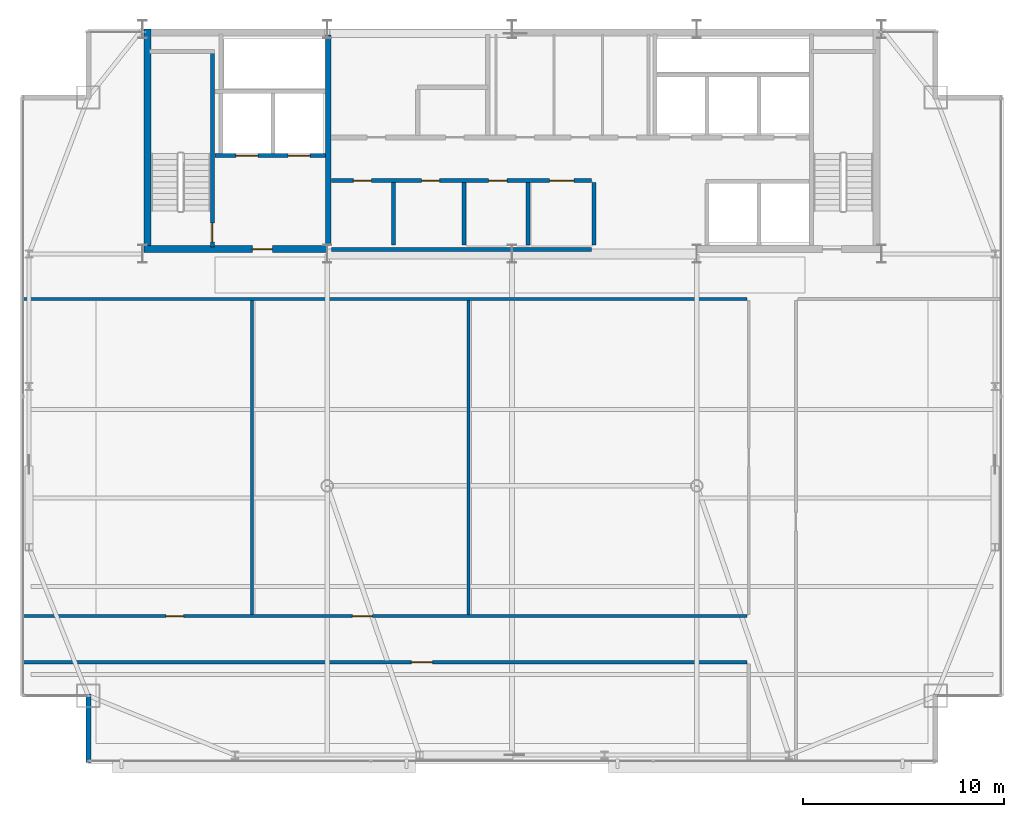
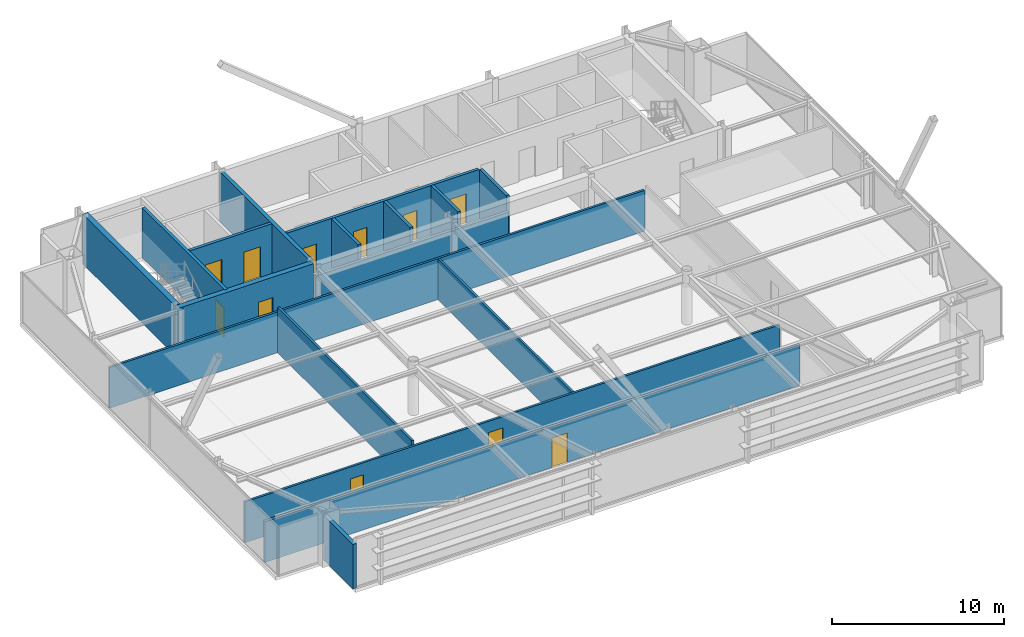
# One storey, part 24 of 27: 17 walls, 11 doors, 11 openings.
"""IFC4 building model written with IfcOpenShell, lengths in metres."""

from ifc_helpers import new_model, si_unit, direction, frame, frame_2d, origin, place, context, subcontext, project, spatial, rectangle, extrude, source, transform, mapped, material, layer, layer_set, type_object, type_shapes, element, fill, save


model = new_model("IFC4")

# Units and contexts
model_context = context("Model", 3, precision=1e-05, world=origin(), true_north=direction((0.0, 1.0)))
body_context = subcontext(model_context, "Body", "Model", "MODEL_VIEW")
ifc_project = project(units=[si_unit("LENGTHUNIT", "METRE"), si_unit("AREAUNIT", "SQUARE_METRE"), si_unit("VOLUMEUNIT", "CUBIC_METRE"), si_unit("PLANEANGLEUNIT", "RADIAN"), si_unit("MASSUNIT", "GRAM", prefix="KILO")], contexts=[model_context])

# Site, building, storey
site_placement = place(None, origin())
site = spatial("IfcSite", under=ifc_project, at=site_placement, CompositionType="ELEMENT")
building_placement = place(site_placement, origin())
building = spatial("IfcBuilding", under=site, at=building_placement, Name="Varnel Quay Broadcast Tower", CompositionType="ELEMENT")
storey_placement = place(building_placement, frame((0.0, 0.0, 203.60009765625)))
storey = spatial("IfcBuildingStorey", under=building, at=storey_placement, Name="L50", CompositionType="ELEMENT", Elevation=203.60009765625)

# Wall, opening, door
ifc_material_1 = material(Name="Concrete CSA A23.3 C50/60", Category="concrete")
ifc_layer_1 = layer(ifc_material_1, 0.199951171875, Name="Concrete CSA A23.3 C50/60")
ifc_layer_set_1 = layer_set([ifc_layer_1], Name="Concrete CSA A23.3 C50/60")
wall_type_1 = type_object("IfcWallType", Name="Wall_CoreShaftShear200", PredefinedType="SHEAR", material=ifc_layer_set_1)
wall_1_placement = place(storey_placement, frame((19.080078125, 35.949951171875, 0.0), z_axis=(0.0, 0.0, 1.0), x_axis=(0.0, 1.0, 0.0)))
wall_1 = element("IfcWall", 1, at=wall_1_placement, inside=storey, type_object=wall_type_1, Name="L50 Stair 1 East Structural Wall", PredefinedType="SHEAR", context=body_context, shape_type="SweptSolid", body=[
    extrude(rectangle(XDim=9.650146484375, YDim=0.199951171875, at=frame_2d((4.8251953125, 0.0))), origin(), (0.0, 0.0, 1.0), 3.5498046875),
])
opening_1_placement = place(wall_1_placement, frame((0.25, 0.0, 0.0)))
opening_1 = element("IfcOpeningElement", 2, at=opening_1_placement, cuts=wall_1, Name="Opening D-L50-S1", PredefinedType="OPENING", context=body_context, shape_type="SweptSolid", body=[
    extrude(rectangle(XDim=0.949951171875, YDim=2.10009765625, at=frame_2d((0.47509765625, 1.050048828125))), frame((0.0, 0.10986328125, 0.0), z_axis=(0.0, -1.0, 0.0), x_axis=(1.0, 0.0, 0.0)), (0.0, 0.0, 1.0), 0.219970703125),
])
ifc_material_2 = material(Name="Insulated Fire-Rated Hollow Steel Door", Category="steel")
door_type_1 = type_object("IfcDoorType", Name="Door_FireStair950", OperationType="NOTDEFINED", PredefinedType="DOOR", material=ifc_material_2)
shared_shape_1 = source(origin(), body_context, "Body", "SweptSolid", [
    extrude(rectangle(XDim=0.949951171875, YDim=2.10009765625, at=frame_2d((0.47509765625, 1.050048828125))), frame((0.0, 0.02490234375, 0.0), z_axis=(0.0, -1.0, 0.0), x_axis=(1.0, 0.0, 0.0)), (0.0, 0.0, 1.0), 0.050048828125),
])
type_shapes(door_type_1, [shared_shape_1])
door_1_placement = place(opening_1_placement, origin())
door_1 = element("IfcDoor", 3, at=door_1_placement, inside=storey, type_object=door_type_1, Name="L50 Stair 1 Fire Door", OperationType="SINGLE_SWING_LEFT", OverallHeight=2.10009765625, OverallWidth=0.949951171875, PredefinedType="DOOR", context=body_context, shape_type="MappedRepresentation", body=[
    mapped(shared_shape_1, transform((0.0, 0.0, 0.0), x_axis=(1.0, 0.0, 0.0), y_axis=(0.0, 1.0, 0.0), z_axis=(0.0, 0.0, 1.0), scale=1.0)),
])
fill(opening_1, door_1)

# Wall, openings, doors
wall_2_placement = place(storey_placement, frame((19.199951171875, 40.5, 0.0), z_axis=(0.0, 0.0, 1.0), x_axis=(1.0, 0.0, 0.0)))
wall_2 = element("IfcWall", 4, at=wall_2_placement, inside=storey, type_object=wall_type_1, Name="L50 Firefighter Lift Shaft Front Wall", PredefinedType="SHEAR", context=body_context, shape_type="SweptSolid", body=[
    extrude(rectangle(XDim=5.52001953125, YDim=0.199951171875, at=frame_2d((2.760009765625, 0.0))), origin(), (0.0, 0.0, 1.0), 3.5498046875),
])
opening_2_placement = place(wall_2_placement, frame((1.050048828125, 0.0, 0.0)))
opening_2 = element("IfcOpeningElement", 5, at=opening_2_placement, cuts=wall_2, Name="Opening LD-L50-FE1", PredefinedType="OPENING", context=body_context, shape_type="SweptSolid", body=[
    extrude(rectangle(XDim=1.10009765625, YDim=2.179931640625, at=frame_2d((0.550048828125, 1.08984375))), frame((0.0, 0.10986328125, 0.0), z_axis=(0.0, -1.0, 0.0), x_axis=(1.0, 0.0, 0.0)), (0.0, 0.0, 1.0), 0.219970703125),
])
opening_3_placement = place(wall_2_placement, frame((3.64990234375, 0.0, 0.0)))
opening_3 = element("IfcOpeningElement", 6, at=opening_3_placement, cuts=wall_2, Name="Opening LD-L50-FE2", PredefinedType="OPENING", context=body_context, shape_type="SweptSolid", body=[
    extrude(rectangle(XDim=1.10009765625, YDim=2.179931640625, at=frame_2d((0.550048828125, 1.08984375))), frame((0.0, 0.10986328125, 0.0), z_axis=(0.0, -1.0, 0.0), x_axis=(1.0, 0.0, 0.0)), (0.0, 0.0, 1.0), 0.219970703125),
])
ifc_material_3 = material(Name="Brushed Bronze-Stainless Lift Car & Sliding Doors", Category="steel")
door_type_2 = type_object("IfcDoorType", Name="Door_LiftLanding1100", OperationType="SLIDING_TO_LEFT", PredefinedType="DOOR", material=ifc_material_3)
shared_shape_2 = source(origin(), body_context, "Body", "SweptSolid", [
    extrude(rectangle(XDim=1.10009765625, YDim=2.179931640625, at=frame_2d((0.550048828125, 1.08984375))), frame((0.0, 0.02490234375, 0.0), z_axis=(0.0, -1.0, 0.0), x_axis=(1.0, 0.0, 0.0)), (0.0, 0.0, 1.0), 0.050048828125),
])
type_shapes(door_type_2, [shared_shape_2])
door_2_placement = place(opening_2_placement, frame((1.10009765625, 0.0, 0.0), z_axis=(0.0, 0.0, 1.0), x_axis=(-1.0, 0.0, 0.0)))
door_2 = element("IfcDoor", 7, at=door_2_placement, inside=storey, type_object=door_type_2, Name="L50 Firefighter Lift FE-01 Landing Door", OperationType="SLIDING_TO_LEFT", OverallHeight=2.179931640625, OverallWidth=1.10009765625, PredefinedType="DOOR", context=body_context, shape_type="MappedRepresentation", body=[
    mapped(shared_shape_2, transform((0.0, 0.0, 0.0), x_axis=(1.0, 0.0, 0.0), y_axis=(0.0, 1.0, 0.0), z_axis=(0.0, 0.0, 1.0), scale=1.0)),
])
fill(opening_2, door_2)
door_3_placement = place(opening_3_placement, frame((1.10009765625, 0.0, 0.0), z_axis=(0.0, 0.0, 1.0), x_axis=(-1.0, 0.0, 0.0)))
door_3 = element("IfcDoor", 8, at=door_3_placement, inside=storey, type_object=door_type_2, Name="L50 Firefighter Lift FE-02 Landing Door", OperationType="SLIDING_TO_RIGHT", OverallHeight=2.179931640625, OverallWidth=1.10009765625, PredefinedType="DOOR", context=body_context, shape_type="MappedRepresentation", body=[
    mapped(shared_shape_2, transform((0.0, 0.0, 0.0), x_axis=(1.0, 0.0, 0.0), y_axis=(0.0, 1.0, 0.0), z_axis=(0.0, 0.0, 1.0), scale=1.0)),
])
fill(opening_3, door_3)

# Walls
ifc_layer_2 = layer(ifc_material_1, 0.25, Name="Concrete CSA A23.3 C50/60")
ifc_layer_set_2 = layer_set([ifc_layer_2], Name="Concrete CSA A23.3 C50/60")
wall_type_2 = type_object("IfcWallType", Name="Wall_CoreShaftShear250", PredefinedType="SHEAR", material=ifc_layer_set_2)
wall_3_placement = place(storey_placement, frame((24.85009765625, 36.050048828125, 0.0), z_axis=(0.0, 0.0, 1.0), x_axis=(0.0, 1.0, 0.0)))
element("IfcWall", 9, at=wall_3_placement, inside=storey, type_object=wall_type_2, Name="L50 Firefighting Lobby East Structural Wall", PredefinedType="SHEAR", context=body_context, shape_type="SweptSolid", body=[
    extrude(rectangle(XDim=10.449951171875, YDim=0.25, at=frame_2d((5.22509765625, 0.0))), origin(), (0.0, 0.0, 1.0), 3.5498046875),
])
ifc_layer_3 = layer(ifc_material_1, 0.35009765625, Name="Concrete CSA A23.3 C50/60")
ifc_layer_set_3 = layer_set([ifc_layer_3], Name="Concrete CSA A23.3 C50/60")
wall_type_3 = type_object("IfcWallType", Name="Wall_CoreShearInt350", PredefinedType="SHEAR", material=ifc_layer_set_3)
wall_4_placement = place(storey_placement, frame((15.844970703125, 35.669921875, 0.0), z_axis=(0.0, 0.0, 1.0), x_axis=(0.0, 1.0, 0.0)))
element("IfcWall", 10, at=wall_4_placement, inside=storey, type_object=wall_type_3, Name="L50 West Core Shear Wall", PredefinedType="SHEAR", context=body_context, shape_type="SweptSolid", body=[
    extrude(rectangle(XDim=11.130126953125, YDim=0.35009765625, at=frame_2d((5.56494140625, 0.0))), origin(), (0.0, 0.0, 1.0), 3.5498046875),
])

# Wall, opening, door
wall_5_placement = place(storey_placement, frame((15.669921875, 35.844970703125, 0.0), z_axis=(0.0, 0.0, 1.0), x_axis=(1.0, 0.0, 0.0)))
wall_5 = element("IfcWall", 11, at=wall_5_placement, inside=storey, type_object=wall_type_3, Name="L50 South-West Core Shear Wall", PredefinedType="SHEAR", context=body_context, shape_type="SweptSolid", body=[
    extrude(rectangle(XDim=9.130126953125, YDim=0.35009765625, at=frame_2d((4.56494140625, 0.0))), origin(), (0.0, 0.0, 1.0), 3.5498046875),
])
opening_4_placement = place(wall_5_placement, frame((5.39990234375, 0.0, 0.0)))
opening_4 = element("IfcOpeningElement", 12, at=opening_4_placement, cuts=wall_5, Name="Opening D-L50-FFL", PredefinedType="OPENING", context=body_context, shape_type="SweptSolid", body=[
    extrude(rectangle(XDim=1.0, YDim=2.10009765625, at=frame_2d((0.5, 1.050048828125))), frame((0.0, 0.18505859375, 0.0), z_axis=(0.0, -1.0, 0.0), x_axis=(1.0, 0.0, 0.0)), (0.0, 0.0, 1.0), 0.3701171875),
])
door_type_3 = type_object("IfcDoorType", Name="Door_FireLobby1000", OperationType="NOTDEFINED", PredefinedType="DOOR", material=ifc_material_2)
shared_shape_3 = source(origin(), body_context, "Body", "SweptSolid", [
    extrude(rectangle(XDim=1.0, YDim=2.10009765625, at=frame_2d((0.5, 1.050048828125))), frame((0.0, 0.02490234375, 0.0), z_axis=(0.0, -1.0, 0.0), x_axis=(1.0, 0.0, 0.0)), (0.0, 0.0, 1.0), 0.050048828125),
])
type_shapes(door_type_3, [shared_shape_3])
door_4_placement = place(opening_4_placement, origin())
door_4 = element("IfcDoor", 13, at=door_4_placement, inside=storey, type_object=door_type_3, Name="L50 Firefighting Lobby Door", OperationType="SINGLE_SWING_RIGHT", OverallHeight=2.10009765625, OverallWidth=1.0, PredefinedType="DOOR", context=body_context, shape_type="MappedRepresentation", body=[
    mapped(shared_shape_3, transform((0.0, 0.0, 0.0), x_axis=(1.0, 0.0, 0.0), y_axis=(0.0, 1.0, 0.0), z_axis=(0.0, 0.0, 1.0), scale=1.0)),
])
fill(opening_4, door_4)

# Walls
ifc_material_4 = material(Name="Precast Architectural Concrete C40/50", Category="concrete")
ifc_layer_4 = layer(ifc_material_4, 0.25, Name="Precast Architectural Concrete C40/50")
ifc_layer_set_4 = layer_set([ifc_layer_4], Name="Precast Architectural Concrete C40/50")
wall_type_4 = type_object("IfcWallType", Name="Wall_ExtTerrace250", PredefinedType="SOLIDWALL", material=ifc_layer_set_4)
wall_6_placement = place(storey_placement, frame((12.89990234375, 10.280029296875, 0.0), z_axis=(0.0, 0.0, 1.0), x_axis=(0.0, 1.0, 0.0)))
element("IfcWall", 14, at=wall_6_placement, inside=storey, type_object=wall_type_4, Name="L50 Mega-Column Notch Cladding Wall NSW2", PredefinedType="SOLIDWALL", context=body_context, shape_type="SweptSolid", body=[
    extrude(rectangle(XDim=3.39990234375, YDim=0.25, at=frame_2d((1.699951171875, 0.0))), origin(), (0.0, 0.0, 1.0), 3.1708984375),
])
ifc_material_5 = material(Name="Concrete Blockwork Fire Enclosure C40/50", Category="masonry")
ifc_layer_5 = layer(ifc_material_5, 0.199951171875, Name="Concrete Blockwork Fire Enclosure C40/50")
ifc_layer_set_5 = layer_set([ifc_layer_5], Name="Concrete Blockwork Fire Enclosure C40/50")
wall_type_5 = type_object("IfcWallType", Name="Wall_FireShaft200", PredefinedType="SOLIDWALL", material=ifc_layer_set_5)
wall_7_placement = place(storey_placement, frame((25.0, 35.824951171875, 0.0), z_axis=(0.0, 0.0, 1.0), x_axis=(1.0, 0.0, 0.0)))
element("IfcWall", 15, at=wall_7_placement, inside=storey, type_object=wall_type_5, Name="L50 Accessible Universal Washroom Partition 1", PredefinedType="SOLIDWALL", context=body_context, shape_type="SweptSolid", body=[
    extrude(rectangle(XDim=12.949951171875, YDim=0.199951171875, at=frame_2d((6.47509765625, 0.0))), origin(), (0.0, 0.0, 1.0), 2.574951171875),
])

# Wall, openings, doors
wall_8_placement = place(storey_placement, frame((25.0, 39.25, 0.0), z_axis=(0.0, 0.0, 1.0), x_axis=(1.0, 0.0, 0.0)))
wall_8 = element("IfcWall", 16, at=wall_8_placement, inside=storey, type_object=wall_type_5, Name="L50 Accessible Universal Washroom Partition 3", PredefinedType="SOLIDWALL", context=body_context, shape_type="SweptSolid", body=[
    extrude(rectangle(XDim=12.949951171875, YDim=0.199951171875, at=frame_2d((6.47509765625, 0.0))), origin(), (0.0, 0.0, 1.0), 3.52978515625),
])
opening_5_placement = place(wall_8_placement, frame((1.10009765625, 0.0, 0.0)))
opening_5 = element("IfcOpeningElement", 17, at=opening_5_placement, cuts=wall_8, Name="Opening D-L50-01", PredefinedType="OPENING", context=body_context, shape_type="SweptSolid", body=[
    extrude(rectangle(XDim=0.89990234375, YDim=2.06005859375, at=frame_2d((0.449951171875, 1.030029296875))), frame((0.0, 0.10986328125, 0.0), z_axis=(0.0, -1.0, 0.0), x_axis=(1.0, 0.0, 0.0)), (0.0, 0.0, 1.0), 0.219970703125),
])
opening_6_placement = place(wall_8_placement, frame((4.5, 0.0, 0.0)))
opening_6 = element("IfcOpeningElement", 18, at=opening_6_placement, cuts=wall_8, Name="Opening D-L50-02", PredefinedType="OPENING", context=body_context, shape_type="SweptSolid", body=[
    extrude(rectangle(XDim=0.89990234375, YDim=2.06005859375, at=frame_2d((0.449951171875, 1.030029296875))), frame((0.0, 0.10986328125, 0.0), z_axis=(0.0, -1.0, 0.0), x_axis=(1.0, 0.0, 0.0)), (0.0, 0.0, 1.0), 0.219970703125),
])
opening_7_placement = place(wall_8_placement, frame((7.840087890625, 0.0, 0.0)))
opening_7 = element("IfcOpeningElement", 19, at=opening_7_placement, cuts=wall_8, Name="Opening D-L50-03", PredefinedType="OPENING", context=body_context, shape_type="SweptSolid", body=[
    extrude(rectangle(XDim=0.919921875, YDim=2.080078125, at=frame_2d((0.4599609375, 1.0400390625))), frame((0.0, 0.10986328125, 0.0), z_axis=(0.0, -1.0, 0.0), x_axis=(1.0, 0.0, 0.0)), (0.0, 0.0, 1.0), 0.219970703125),
])
opening_8_placement = place(wall_8_placement, frame((10.875, 0.0, 0.0)))
opening_8 = element("IfcOpeningElement", 20, at=opening_8_placement, cuts=wall_8, Name="Opening D-L50-04", PredefinedType="OPENING", context=body_context, shape_type="SweptSolid", body=[
    extrude(rectangle(XDim=1.199951171875, YDim=2.10009765625, at=frame_2d((0.60009765625, 1.050048828125))), frame((0.0, 0.10986328125, 0.0), z_axis=(0.0, -1.0, 0.0), x_axis=(1.0, 0.0, 0.0)), (0.0, 0.0, 1.0), 0.219970703125),
])
ifc_material_6 = material(Name="Solid-Core Fire-Rated Acoustic Oak Veneer Door", Category="wood")
door_type_4 = type_object("IfcDoorType", Name="Door_Washroom900", OperationType="NOTDEFINED", PredefinedType="DOOR", material=ifc_material_6)
shared_shape_4 = source(origin(), body_context, "Body", "SweptSolid", [
    extrude(rectangle(XDim=0.89990234375, YDim=2.06005859375, at=frame_2d((0.449951171875, 1.030029296875))), frame((0.0, 0.02490234375, 0.0), z_axis=(0.0, -1.0, 0.0), x_axis=(1.0, 0.0, 0.0)), (0.0, 0.0, 1.0), 0.050048828125),
])
type_shapes(door_type_4, [shared_shape_4])
door_5_placement = place(opening_5_placement, frame((0.89990234375, 0.0, 0.0), z_axis=(0.0, 0.0, 1.0), x_axis=(-1.0, 0.0, 0.0)))
door_5 = element("IfcDoor", 21, at=door_5_placement, inside=storey, type_object=door_type_4, Name="L50 Accessible Universal Washroom Door D-L50-01", OperationType="SINGLE_SWING_LEFT", OverallHeight=2.06005859375, OverallWidth=0.89990234375, PredefinedType="DOOR", context=body_context, shape_type="MappedRepresentation", body=[
    mapped(shared_shape_4, transform((0.0, 0.0, 0.0), x_axis=(1.0, 0.0, 0.0), y_axis=(0.0, 1.0, 0.0), z_axis=(0.0, 0.0, 1.0), scale=1.0)),
])
fill(opening_5, door_5)
door_6_placement = place(opening_6_placement, frame((0.89990234375, 0.0, 0.0), z_axis=(0.0, 0.0, 1.0), x_axis=(-1.0, 0.0, 0.0)))
door_6 = element("IfcDoor", 22, at=door_6_placement, inside=storey, type_object=door_type_4, Name="L50 Staff Washroom Block Door D-L50-02", OperationType="SINGLE_SWING_RIGHT", OverallHeight=2.06005859375, OverallWidth=0.89990234375, PredefinedType="DOOR", context=body_context, shape_type="MappedRepresentation", body=[
    mapped(shared_shape_4, transform((0.0, 0.0, 0.0), x_axis=(1.0, 0.0, 0.0), y_axis=(0.0, 1.0, 0.0), z_axis=(0.0, 0.0, 1.0), scale=1.0)),
])
fill(opening_6, door_6)
door_type_5 = type_object("IfcDoorType", Name="Door_Plant1200", OperationType="NOTDEFINED", PredefinedType="DOOR", material=ifc_material_2)
shared_shape_5 = source(origin(), body_context, "Body", "SweptSolid", [
    extrude(rectangle(XDim=1.199951171875, YDim=2.10009765625, at=frame_2d((0.60009765625, 1.050048828125))), frame((0.0, 0.02490234375, 0.0), z_axis=(0.0, -1.0, 0.0), x_axis=(1.0, 0.0, 0.0)), (0.0, 0.0, 1.0), 0.050048828125),
])
type_shapes(door_type_5, [shared_shape_5])
door_7_placement = place(opening_8_placement, origin())
door_7 = element("IfcDoor", 23, at=door_7_placement, inside=storey, type_object=door_type_5, Name="L50 Zone Lighting Dimmer Room Door D-L50-04", OperationType="SINGLE_SWING_RIGHT", OverallHeight=2.10009765625, OverallWidth=1.199951171875, PredefinedType="DOOR", context=body_context, shape_type="MappedRepresentation", body=[
    mapped(shared_shape_5, transform((0.0, 0.0, 0.0), x_axis=(1.0, 0.0, 0.0), y_axis=(0.0, 1.0, 0.0), z_axis=(0.0, 0.0, 1.0), scale=1.0)),
])
fill(opening_8, door_7)
door_type_6 = type_object("IfcDoorType", Name="Door_Office920", OperationType="NOTDEFINED", PredefinedType="DOOR", material=ifc_material_6)
shared_shape_6 = source(origin(), body_context, "Body", "SweptSolid", [
    extrude(rectangle(XDim=0.919921875, YDim=2.080078125, at=frame_2d((0.4599609375, 1.0400390625))), frame((0.0, 0.02490234375, 0.0), z_axis=(0.0, -1.0, 0.0), x_axis=(1.0, 0.0, 0.0)), (0.0, 0.0, 1.0), 0.050048828125),
])
type_shapes(door_type_6, [shared_shape_6])
door_8_placement = place(opening_7_placement, frame((0.919921875, 0.0, 0.0), z_axis=(0.0, 0.0, 1.0), x_axis=(-1.0, 0.0, 0.0)))
door_8 = element("IfcDoor", 24, at=door_8_placement, inside=storey, type_object=door_type_6, Name="L50 Broadcast First-Aid & Quiet Room Door D-L50-03", OperationType="SINGLE_SWING_LEFT", OverallHeight=2.080078125, OverallWidth=0.919921875, PredefinedType="DOOR", context=body_context, shape_type="MappedRepresentation", body=[
    mapped(shared_shape_6, transform((0.0, 0.0, 0.0), x_axis=(1.0, 0.0, 0.0), y_axis=(0.0, 1.0, 0.0), z_axis=(0.0, 0.0, 1.0), scale=1.0)),
])
fill(opening_7, door_8)

# Walls
for number, where, z_axis, x_axis, name in (
    (25, (34.800048828125, 36.050048828125, 0.0), (0.0, 0.0, 1.0), (0.0, 1.0, 0.0), "L50 Broadcast First-Aid & Quiet Room Partition 5"),
    (26, (38.074951171875, 36.050048828125, 0.0), (0.0, 0.0, 1.0), (0.0, 1.0, 0.0), "L50 Zone Lighting Dimmer Room Partition 6"),
):
    element("IfcWall", number, at=place(storey_placement, frame(where, z_axis=z_axis, x_axis=x_axis)), inside=storey, type_object=wall_type_5, Name=name, PredefinedType="SOLIDWALL", context=body_context, shape_type="SweptSolid", body=[
        extrude(rectangle(XDim=3.099853515625, YDim=0.199951171875, at=frame_2d((1.5498046875, 0.0))), origin(), (0.0, 0.0, 1.0), 3.52978515625),
    ])
ifc_material_7 = material(Name="Steel-Stud Fire-Rated Acoustic Gypsum Partition Assembly", Category="steel")
ifc_layer_6 = layer(ifc_material_7, 0.139892578125, Name="Steel-Stud Fire-Rated Acoustic Gypsum Partition Assembly")
ifc_layer_set_6 = layer_set([ifc_layer_6], Name="Steel-Stud Fire-Rated Acoustic Gypsum Partition Assembly")
wall_type_6 = type_object("IfcWallType", Name="Wall_Partition140", PredefinedType="PARTITIONING", material=ifc_layer_set_6)
wall_9_placement = place(storey_placement, frame((31.840087890625, 17.64501953125, 0.0), z_axis=(0.0, 0.0, 1.0), x_axis=(0.0, 1.0, 0.0)))
element("IfcWall", 27, at=wall_9_placement, inside=storey, type_object=wall_type_6, Name="L50 Press Green Lounge 3 Partition 12", PredefinedType="PARTITIONING", context=body_context, shape_type="SweptSolid", body=[
    extrude(rectangle(XDim=15.6298828125, YDim=0.139892578125, at=frame_2d((7.81494140625, 0.0))), origin(), (0.0, 0.0, 1.0), 2.907958984375),
])

# Wall, openings, doors
ifc_layer_7 = layer(ifc_material_7, 0.14990234375, Name="Steel-Stud Fire-Rated Acoustic Gypsum Partition Assembly")
ifc_layer_set_7 = layer_set([ifc_layer_7], Name="Steel-Stud Fire-Rated Acoustic Gypsum Partition Assembly")
wall_type_7 = type_object("IfcWallType", Name="Wall_Partition150", PredefinedType="PARTITIONING", material=ifc_layer_set_7)
wall_10_placement = place(storey_placement, frame((9.679931640625, 17.570068359375, 0.0), z_axis=(0.0, 0.0, 1.0), x_axis=(1.0, 0.0, 0.0)))
wall_10 = element("IfcWall", 28, at=wall_10_placement, inside=storey, type_object=wall_type_7, Name="L50 Break Kitchen 2 Partition 9", PredefinedType="PARTITIONING", context=body_context, shape_type="SweptSolid", body=[
    extrude(rectangle(XDim=36.010009765625, YDim=0.14990234375, at=frame_2d((18.0048828125, 0.0))), origin(), (0.0, 0.0, 1.0), 2.907958984375),
])
opening_9_placement = place(wall_10_placement, frame((7.0849609375, 0.0, 0.0)))
opening_9 = element("IfcOpeningElement", 29, at=opening_9_placement, cuts=wall_10, Name="Opening D-L50-06", PredefinedType="OPENING", context=body_context, shape_type="SweptSolid", body=[
    extrude(rectangle(XDim=0.8798828125, YDim=2.06005859375, at=frame_2d((0.43994140625, 1.030029296875))), frame((0.0, 0.0849609375, 0.0), z_axis=(0.0, -1.0, 0.0), x_axis=(1.0, 0.0, 0.0)), (0.0, 0.0, 1.0), 0.169921875),
])
opening_10_placement = place(wall_10_placement, frame((16.3701171875, 0.0, 0.0)))
opening_10 = element("IfcOpeningElement", 30, at=opening_10_placement, cuts=wall_10, Name="Opening D-L50-07", PredefinedType="OPENING", context=body_context, shape_type="SweptSolid", body=[
    extrude(rectangle(XDim=1.0, YDim=2.10009765625, at=frame_2d((0.5, 1.050048828125))), frame((0.0, 0.0849609375, 0.0), z_axis=(0.0, -1.0, 0.0), x_axis=(1.0, 0.0, 0.0)), (0.0, 0.0, 1.0), 0.169921875),
])
door_type_7 = type_object("IfcDoorType", Name="Door_Booth880", OperationType="NOTDEFINED", PredefinedType="DOOR", material=ifc_material_6)
shared_shape_7 = source(origin(), body_context, "Body", "SweptSolid", [
    extrude(rectangle(XDim=0.8798828125, YDim=2.06005859375, at=frame_2d((0.43994140625, 1.030029296875))), frame((0.0, 0.02490234375, 0.0), z_axis=(0.0, -1.0, 0.0), x_axis=(1.0, 0.0, 0.0)), (0.0, 0.0, 1.0), 0.050048828125),
])
type_shapes(door_type_7, [shared_shape_7])
door_9_placement = place(opening_9_placement, origin())
door_9 = element("IfcDoor", 31, at=door_9_placement, inside=storey, type_object=door_type_7, Name="L50 Break Kitchen 2 Door D-L50-06", OperationType="SINGLE_SWING_RIGHT", OverallHeight=2.06005859375, OverallWidth=0.8798828125, PredefinedType="DOOR", context=body_context, shape_type="MappedRepresentation", body=[
    mapped(shared_shape_7, transform((0.0, 0.0, 0.0), x_axis=(1.0, 0.0, 0.0), y_axis=(0.0, 1.0, 0.0), z_axis=(0.0, 0.0, 1.0), scale=1.0)),
])
fill(opening_9, door_9)
door_type_8 = type_object("IfcDoorType", Name="Door_Exec1000", OperationType="NOTDEFINED", PredefinedType="DOOR", material=ifc_material_6)
shared_shape_8 = source(origin(), body_context, "Body", "SweptSolid", [
    extrude(rectangle(XDim=1.0, YDim=2.10009765625, at=frame_2d((0.5, 1.050048828125))), frame((0.0, 0.02490234375, 0.0), z_axis=(0.0, -1.0, 0.0), x_axis=(1.0, 0.0, 0.0)), (0.0, 0.0, 1.0), 0.050048828125),
])
type_shapes(door_type_8, [shared_shape_8])
door_10_placement = place(opening_10_placement, origin())
door_10 = element("IfcDoor", 32, at=door_10_placement, inside=storey, type_object=door_type_8, Name="L50 Press Green Lounge 3 Door D-L50-07", OperationType="SINGLE_SWING_LEFT", OverallHeight=2.10009765625, OverallWidth=1.0, PredefinedType="DOOR", context=body_context, shape_type="MappedRepresentation", body=[
    mapped(shared_shape_8, transform((0.0, 0.0, 0.0), x_axis=(1.0, 0.0, 0.0), y_axis=(0.0, 1.0, 0.0), z_axis=(0.0, 0.0, 1.0), scale=1.0)),
])
fill(opening_10, door_10)

# Walls
wall_11_placement = place(storey_placement, frame((21.06005859375, 17.64501953125, 0.0), z_axis=(0.0, 0.0, 1.0), x_axis=(0.0, 1.0, 0.0)))
element("IfcWall", 33, at=wall_11_placement, inside=storey, type_object=wall_type_7, Name="L50 Break Kitchen 2 Partition 10", PredefinedType="PARTITIONING", context=body_context, shape_type="SweptSolid", body=[
    extrude(rectangle(XDim=15.6298828125, YDim=0.14990234375, at=frame_2d((7.81494140625, 0.0))), origin(), (0.0, 0.0, 1.0), 3.221923828125),
])
wall_12_placement = place(storey_placement, frame((9.679931640625, 33.35009765625, 0.0), z_axis=(0.0, 0.0, 1.0), x_axis=(1.0, 0.0, 0.0)))
element("IfcWall", 34, at=wall_12_placement, inside=storey, type_object=wall_type_7, Name="L50 Break Kitchen 2 Partition 11", PredefinedType="PARTITIONING", context=body_context, shape_type="SweptSolid", body=[
    extrude(rectangle(XDim=36.010009765625, YDim=0.14990234375, at=frame_2d((18.0048828125, 0.0))), origin(), (0.0, 0.0, 1.0), 2.907958984375),
])

# Wall, opening, door
ifc_layer_8 = layer(ifc_material_7, 0.175048828125, Name="Steel-Stud Fire-Rated Acoustic Gypsum Partition Assembly")
ifc_layer_set_8 = layer_set([ifc_layer_8], Name="Steel-Stud Fire-Rated Acoustic Gypsum Partition Assembly")
wall_type_8 = type_object("IfcWallType", Name="Wall_Partition175", PredefinedType="PARTITIONING", material=ifc_layer_set_8)
wall_13_placement = place(storey_placement, frame((9.679931640625, 15.27001953125, 0.0), z_axis=(0.0, 0.0, 1.0), x_axis=(1.0, 0.0, 0.0)))
wall_13 = element("IfcWall", 35, at=wall_13_placement, inside=storey, type_object=wall_type_8, Name="L50 Editorial Boardroom 1 Partition 8", PredefinedType="PARTITIONING", context=body_context, shape_type="SweptSolid", body=[
    extrude(rectangle(XDim=36.010009765625, YDim=0.175048828125, at=frame_2d((18.0048828125, 0.0))), origin(), (0.0, 0.0, 1.0), 2.907958984375),
])
opening_11_placement = place(wall_13_placement, frame((19.31494140625, 0.0, 0.0)))
opening_11 = element("IfcOpeningElement", 36, at=opening_11_placement, cuts=wall_13, Name="Opening D-L50-05", PredefinedType="OPENING", context=body_context, shape_type="SweptSolid", body=[
    extrude(rectangle(XDim=1.050048828125, YDim=2.10009765625, at=frame_2d((0.52490234375, 1.050048828125))), frame((0.0, 0.09765625, 0.0), z_axis=(0.0, -1.0, 0.0), x_axis=(1.0, 0.0, 0.0)), (0.0, 0.0, 1.0), 0.195068359375),
])
door_type_9 = type_object("IfcDoorType", Name="Door_Meeting1050", OperationType="NOTDEFINED", PredefinedType="DOOR", material=ifc_material_6)
shared_shape_9 = source(origin(), body_context, "Body", "SweptSolid", [
    extrude(rectangle(XDim=1.050048828125, YDim=2.10009765625, at=frame_2d((0.52490234375, 1.050048828125))), frame((0.0, 0.02490234375, 0.0), z_axis=(0.0, -1.0, 0.0), x_axis=(1.0, 0.0, 0.0)), (0.0, 0.0, 1.0), 0.050048828125),
])
type_shapes(door_type_9, [shared_shape_9])
door_11_placement = place(opening_11_placement, frame((1.050048828125, 0.0, 0.0), z_axis=(0.0, 0.0, 1.0), x_axis=(-1.0, 0.0, 0.0)))
door_11 = element("IfcDoor", 37, at=door_11_placement, inside=storey, type_object=door_type_9, Name="L50 Editorial Boardroom 1 Door D-L50-05", OperationType="SINGLE_SWING_LEFT", OverallHeight=2.10009765625, OverallWidth=1.050048828125, PredefinedType="DOOR", context=body_context, shape_type="MappedRepresentation", body=[
    mapped(shared_shape_9, transform((0.0, 0.0, 0.0), x_axis=(1.0, 0.0, 0.0), y_axis=(0.0, 1.0, 0.0), z_axis=(0.0, 0.0, 1.0), scale=1.0)),
])
fill(opening_11, door_11)

# Walls
ifc_material_8 = material(Name="Fire-Rated Moisture-Resistant Plumbing Chase Partition")
ifc_layer_9 = layer(ifc_material_8, 0.199951171875, Name="Fire-Rated Moisture-Resistant Plumbing Chase Partition")
ifc_layer_set_9 = layer_set([ifc_layer_9], Name="Fire-Rated Moisture-Resistant Plumbing Chase Partition")
wall_type_9 = type_object("IfcWallType", Name="Wall_Plumbing200", PredefinedType="PLUMBINGWALL", material=ifc_layer_set_9)
for number, where, z_axis, x_axis, name in (
    (38, (28.10009765625, 36.050048828125, 0.0), (0.0, 0.0, 1.0), (0.0, 1.0, 0.0), "L50 Accessible Universal Washroom Partition 2"),
    (39, (31.60009765625, 36.050048828125, 0.0), (0.0, 0.0, 1.0), (0.0, 1.0, 0.0), "L50 Staff Washroom Block Partition 4"),
):
    element("IfcWall", number, at=place(storey_placement, frame(where, z_axis=z_axis, x_axis=x_axis)), inside=storey, type_object=wall_type_9, Name=name, PredefinedType="PLUMBINGWALL", context=body_context, shape_type="SweptSolid", body=[
        extrude(rectangle(XDim=3.099853515625, YDim=0.199951171875, at=frame_2d((1.5498046875, 0.0))), origin(), (0.0, 0.0, 1.0), 3.52978515625),
    ])

save(model, "model.ifc")
